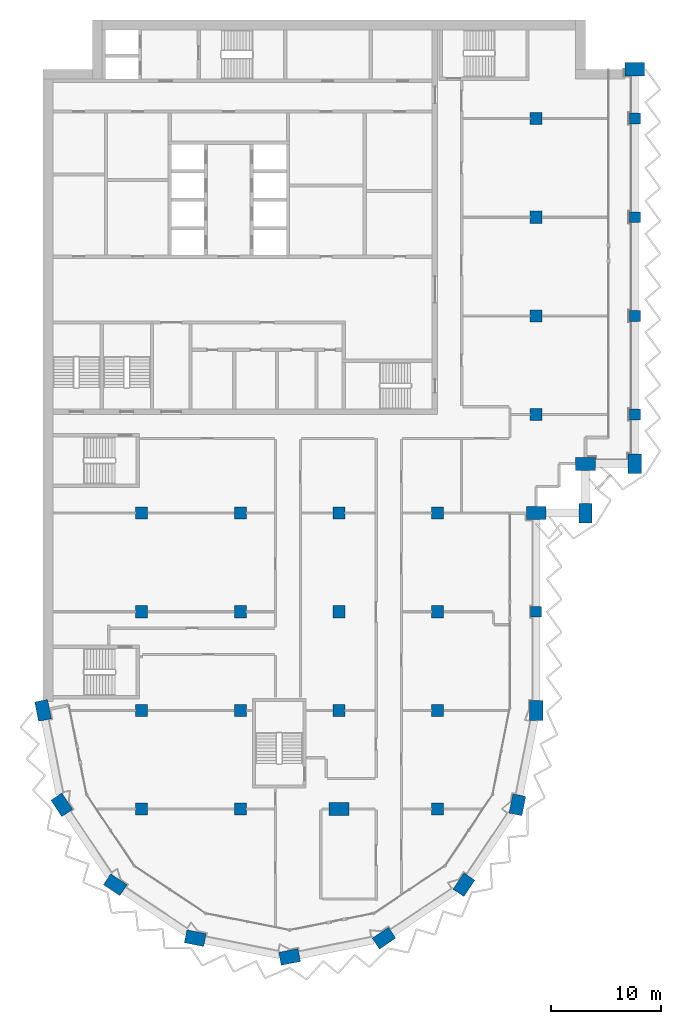
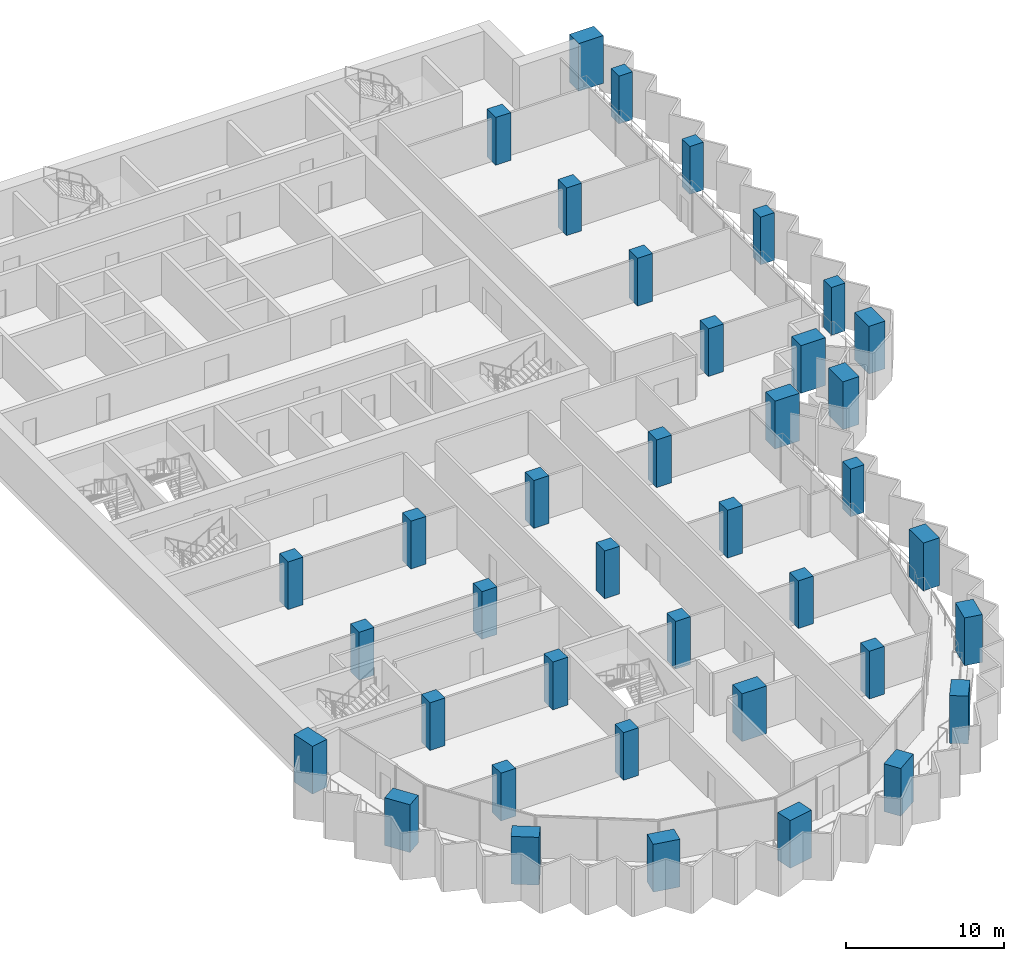
# One storey, part 1 of 17: 39 columns.
"""IFC4 building model written with IfcOpenShell, lengths in metres."""

from ifc_helpers import new_model, si_unit, direction, frame, origin, origin_2d, place, context, subcontext, project, spatial, rectangle, extrude, material, material_profile, profile_set, type_object, element, save


model = new_model("IFC4")

# Units and contexts
model_context = context("Model", 3, precision=1e-05, world=origin(), true_north=direction((0.0, 1.0)))
body_context = subcontext(model_context, "Body", "Model", "MODEL_VIEW")
ifc_project = project(units=[si_unit("LENGTHUNIT", "METRE"), si_unit("AREAUNIT", "SQUARE_METRE"), si_unit("VOLUMEUNIT", "CUBIC_METRE"), si_unit("PLANEANGLEUNIT", "RADIAN"), si_unit("MASSUNIT", "GRAM", prefix="KILO")], contexts=[model_context])

# Site, building, storey
site_placement = place(None, origin())
site = spatial("IfcSite", under=ifc_project, at=site_placement, CompositionType="ELEMENT")
building_placement = place(site_placement, origin())
building = spatial("IfcBuilding", under=site, at=building_placement, Name="Hunhe Ridgeline Campus", CompositionType="ELEMENT")
storey_placement = place(building_placement, frame((0.0, 0.0, 205.0)))
storey = spatial("IfcBuildingStorey", under=building, at=storey_placement, Name="L52", CompositionType="ELEMENT", Elevation=205.0)

# Columns
ifc_material = material(Name="Concrete C60", Category="concrete")
ifc_material_profile_1 = material_profile(ifc_material, rectangle(XDim=1.800048828125, YDim=1.199951171875, at=origin_2d()))
ifc_profile_set_1 = profile_set([ifc_material_profile_1], Name="Concrete C60")
column_type_1 = type_object("IfcColumnType", Name="Megacolumn 1800x1200 Concrete C60", PredefinedType="COLUMN", material=ifc_profile_set_1)
for number, where, z_axis, x_axis, name in (
    (1, (22.5, 13.5, 0.0), (0.0, 0.0, 1.0), (0.980785280403, 0.195090322016, 0.0), "Column C11 R6 L52"),
    (2, (13.8896484375, 15.212646484375, 0.0), (0.0, 0.0, 1.0), (-0.980785280403, 0.195090322016, 0.0), "Column C11 R7 L52"),
    (3, (31.1103515625, 15.212646484375, 0.0), (0.0, 0.0, 1.0), (0.831469612303, 0.55557023302, 0.0), "Column C11 R8 L52"),
    (4, (6.590087890625, 20.090087890625, 0.0), (0.0, 0.0, 1.0), (-0.831469612303, 0.55557023302, 0.0), "Column C11 R11 L52"),
    (5, (38.409912109375, 20.090087890625, 0.0), (0.0, 0.0, 1.0), (0.55557023302, 0.831469612303, 0.0), "Column C11 R12 L52"),
    (6, (1.712646484375, 27.3896484375, 0.0), (0.0, 0.0, 1.0), (-0.55557023302, 0.831469612303, 0.0), "Column C11 R16 L52"),
    (7, (43.287353515625, 27.3896484375, 0.0), (0.0, 0.0, 1.0), (0.195090322016, 0.980785280403, 0.0), "Column C11 R17 L52"),
    (8, (0.0, 36.0, 0.0), (0.0, 0.0, 1.0), (-0.195090322016, 0.980785280403, 0.0), "Column C11 E1 L52"),
    (9, (45.0, 36.0, 0.0), (0.0, 0.0, 1.0), (0.0, 1.0, 0.0), "Column C11 E6 L52"),
    (10, (45.0, 54.0, 0.0), (0.0, 0.0, 1.0), (1.0, 0.0, 0.0), "Column C11 G6 L52"),
    (11, (49.5, 54.0, 0.0), (0.0, 0.0, 1.0), (0.0, 1.0, 0.0), "Column C11 R29 L52"),
    (12, (49.5, 58.5, 0.0), (0.0, 0.0, 1.0), (1.0, 0.0, 0.0), "Column C11 R33 L52"),
    (13, (54.0, 58.5, 0.0), (0.0, 0.0, 1.0), (0.0, 1.0, 0.0), "Column C11 R34 L52"),
    (14, (54.0, 94.5, 0.0), (0.0, 0.0, 1.0), (1.0, 0.0, 0.0), "Column C11 R41 L52"),
    (15, (27.0, 27.0, 0.0), (0.0, 0.0, 1.0), (1.0, 0.0, 0.0), "Column C11 D4 L52"),
):
    element("IfcColumn", number, at=place(storey_placement, frame(where, z_axis=z_axis, x_axis=x_axis)), inside=storey, type_object=column_type_1, Name=name, PredefinedType="COLUMN", context=body_context, shape_type="SweptSolid", body=[
        extrude(rectangle(XDim=1.800048828125, YDim=1.199951171875, at=origin_2d()), origin(), (0.0, 0.0, 1.0), 3.699951171875),
    ])
ifc_material_profile_2 = material_profile(ifc_material, rectangle(XDim=1.0, YDim=1.0, at=origin_2d()))
ifc_profile_set_2 = profile_set([ifc_material_profile_2], Name="Concrete C60")
column_type_2 = type_object("IfcColumnType", Name="RC column 1000x1000 Concrete C60", PredefinedType="COLUMN", material=ifc_profile_set_2)
for number, where, z_axis, x_axis, name in (
    (16, (45.0, 45.0, 0.0), (0.0, 0.0, 1.0), (1.0, 0.0, 0.0), "Column C12 F6 L52"),
    (17, (54.0, 63.0, 0.0), (0.0, 0.0, 1.0), (1.0, 0.0, 0.0), "Column C12 H7 L52"),
    (18, (54.0, 72.0, 0.0), (0.0, 0.0, 1.0), (1.0, 0.0, 0.0), "Column C12 I7 L52"),
    (19, (54.0, 81.0, 0.0), (0.0, 0.0, 1.0), (1.0, 0.0, 0.0), "Column C12 J7 L52"),
    (20, (54.0, 90.0, 0.0), (0.0, 0.0, 1.0), (1.0, 0.0, 0.0), "Column C12 K7 L52"),
):
    element("IfcColumn", number, at=place(storey_placement, frame(where, z_axis=z_axis, x_axis=x_axis)), inside=storey, type_object=column_type_2, Name=name, PredefinedType="COLUMN", context=body_context, shape_type="SweptSolid", body=[
        extrude(rectangle(XDim=1.0, YDim=1.0, at=origin_2d()), origin(), (0.0, 0.0, 1.0), 3.699951171875),
    ])
ifc_material_profile_3 = material_profile(ifc_material, rectangle(XDim=1.10009765625, YDim=1.10009765625, at=origin_2d()))
ifc_profile_set_3 = profile_set([ifc_material_profile_3], Name="Concrete C60")
column_type_3 = type_object("IfcColumnType", Name="RC column 1100x1100 Concrete C60", PredefinedType="COLUMN", material=ifc_profile_set_3)
for number, where, z_axis, x_axis, name in (
    (21, (9.0, 27.0, 0.0), (0.0, 0.0, 1.0), (1.0, 0.0, 0.0), "Column C13 D2 L52"),
    (22, (9.0, 36.0, 0.0), (0.0, 0.0, 1.0), (1.0, 0.0, 0.0), "Column C13 E2 L52"),
    (23, (9.0, 45.0, 0.0), (0.0, 0.0, 1.0), (1.0, 0.0, 0.0), "Column C13 F2 L52"),
    (24, (9.0, 54.0, 0.0), (0.0, 0.0, 1.0), (1.0, 0.0, 0.0), "Column C13 G2 L52"),
    (25, (18.0, 27.0, 0.0), (0.0, 0.0, 1.0), (1.0, 0.0, 0.0), "Column C13 D3 L52"),
    (26, (18.0, 36.0, 0.0), (0.0, 0.0, 1.0), (1.0, 0.0, 0.0), "Column C13 E3 L52"),
    (27, (18.0, 45.0, 0.0), (0.0, 0.0, 1.0), (1.0, 0.0, 0.0), "Column C13 F3 L52"),
    (28, (18.0, 54.0, 0.0), (0.0, 0.0, 1.0), (1.0, 0.0, 0.0), "Column C13 G3 L52"),
    (29, (27.0, 36.0, 0.0), (0.0, 0.0, 1.0), (1.0, 0.0, 0.0), "Column C13 E4 L52"),
    (30, (27.0, 45.0, 0.0), (0.0, 0.0, 1.0), (1.0, 0.0, 0.0), "Column C13 F4 L52"),
    (31, (27.0, 54.0, 0.0), (0.0, 0.0, 1.0), (1.0, 0.0, 0.0), "Column C13 G4 L52"),
    (32, (36.0, 27.0, 0.0), (0.0, 0.0, 1.0), (1.0, 0.0, 0.0), "Column C13 D5 L52"),
    (33, (36.0, 36.0, 0.0), (0.0, 0.0, 1.0), (1.0, 0.0, 0.0), "Column C13 E5 L52"),
    (34, (36.0, 45.0, 0.0), (0.0, 0.0, 1.0), (1.0, 0.0, 0.0), "Column C13 F5 L52"),
    (35, (36.0, 54.0, 0.0), (0.0, 0.0, 1.0), (1.0, 0.0, 0.0), "Column C13 G5 L52"),
    (36, (45.0, 63.0, 0.0), (0.0, 0.0, 1.0), (1.0, 0.0, 0.0), "Column C13 H6 L52"),
    (37, (45.0, 72.0, 0.0), (0.0, 0.0, 1.0), (1.0, 0.0, 0.0), "Column C13 I6 L52"),
    (38, (45.0, 81.0, 0.0), (0.0, 0.0, 1.0), (1.0, 0.0, 0.0), "Column C13 J6 L52"),
    (39, (45.0, 90.0, 0.0), (0.0, 0.0, 1.0), (1.0, 0.0, 0.0), "Column C13 K6 L52"),
):
    element("IfcColumn", number, at=place(storey_placement, frame(where, z_axis=z_axis, x_axis=x_axis)), inside=storey, type_object=column_type_3, Name=name, PredefinedType="COLUMN", context=body_context, shape_type="SweptSolid", body=[
        extrude(rectangle(XDim=1.10009765625, YDim=1.10009765625, at=origin_2d()), origin(), (0.0, 0.0, 1.0), 3.699951171875),
    ])

save(model, "model.ifc")
